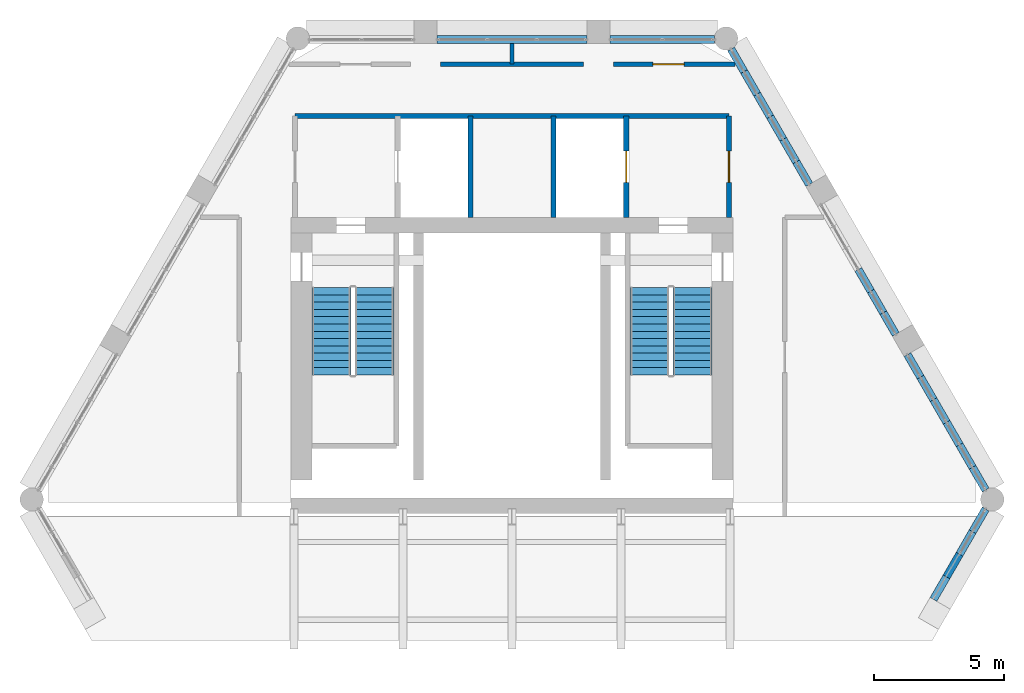
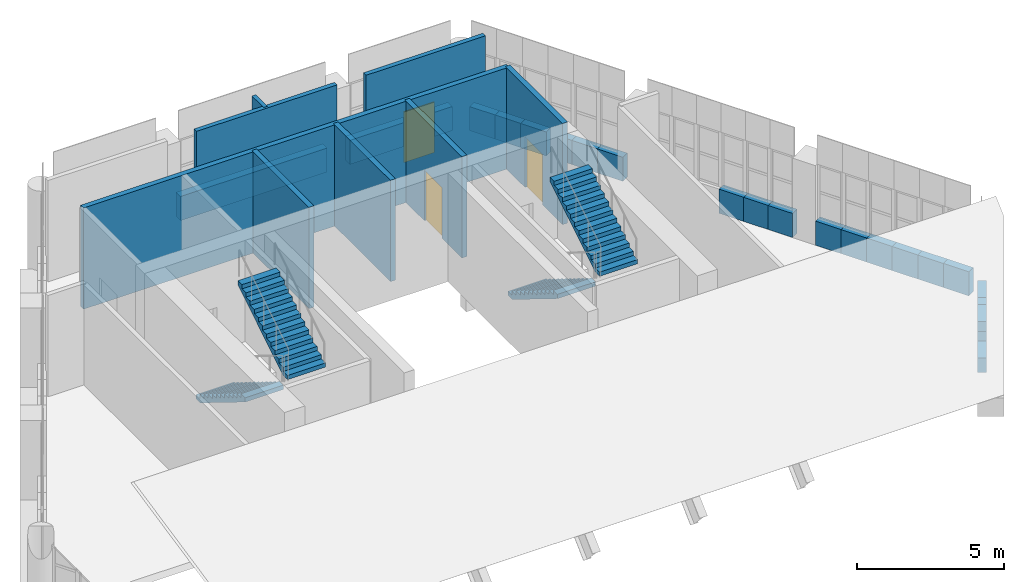
# One storey, part 16 of 20: 30 walls, 4 stair flights, 3 doors, 3 openings, 2 elements without a shape of their own.
"""IFC4 building model written with IfcOpenShell, lengths in metres."""

from ifc_helpers import new_model, si_unit, direction, frame, frame_2d, origin, place, context, subcontext, project, spatial, polyline, rectangle, outline, extrude, material, layer, layer_set, type_object, element, fill, aggregate, save


model = new_model("IFC4")

# Units and contexts
model_context = context("Model", 3, precision=1e-05, world=origin(), true_north=direction((0.0, 1.0)))
body_context = subcontext(model_context, "Body", "Model", "MODEL_VIEW")
ifc_project = project(units=[si_unit("LENGTHUNIT", "METRE"), si_unit("AREAUNIT", "SQUARE_METRE"), si_unit("VOLUMEUNIT", "CUBIC_METRE"), si_unit("PLANEANGLEUNIT", "RADIAN"), si_unit("MASSUNIT", "GRAM", prefix="KILO")], contexts=[model_context])

# Site, building, storey
site_placement = place(None, origin())
site = spatial("IfcSite", under=ifc_project, at=site_placement, CompositionType="ELEMENT")
building_placement = place(site_placement, origin())
building = spatial("IfcBuilding", under=site, at=building_placement, Name="Ostrander Bayou Hotel Tower", CompositionType="ELEMENT")
storey_placement = place(building_placement, frame((0.0, 0.0, 284.0)))
storey = spatial("IfcBuildingStorey", under=building, at=storey_placement, Name="L70", CompositionType="ELEMENT", Elevation=284.0)

# Walls
ifc_material_1 = material(Name="Reconstituted stone on masonry backing", Category="masonry")
ifc_layer_1 = layer(ifc_material_1, 0.300048828125)
ifc_layer_set_1 = layer_set([ifc_layer_1], Name="NW1 north stone wall 300 mm")
wall_type_1 = type_object("IfcWallType", Name="NW1 north stone wall 300 mm", PredefinedType="SOLIDWALL", material=ifc_layer_set_1)
wall_1_placement = place(storey_placement, frame((7.7958984375, 16.550048828125, 0.0), z_axis=(0.0, 0.0, 1.0), x_axis=(-1.0, 0.0, 0.0)))
element("IfcWall", 1, at=wall_1_placement, inside=storey, type_object=wall_type_1, Name="NW1 L70 N-1 sill", PredefinedType="SOLIDWALL", context=body_context, shape_type="SweptSolid", body=[
    extrude(rectangle(XDim=4.0166015625, YDim=0.300048828125, at=frame_2d((2.00830078125, 0.0))), origin(), (0.0, 0.0, 1.0), 1.0),
])
wall_2_placement = place(storey_placement, frame((2.87939453125, 16.550048828125, 0.0), z_axis=(0.0, 0.0, 1.0), x_axis=(-1.0, 0.0, 0.0)))
element("IfcWall", 2, at=wall_2_placement, inside=storey, type_object=wall_type_1, Name="NW1 L70 N-2 sill", PredefinedType="SOLIDWALL", context=body_context, shape_type="SweptSolid", body=[
    extrude(rectangle(XDim=5.7587890625, YDim=0.300048828125, at=frame_2d((2.87939453125, 0.0))), origin(), (0.0, 0.0, 1.0), 1.0),
])
wall_3_placement = place(storey_placement, frame((16.222412109375, -5.001953125, 0.0), z_axis=(0.0, 0.0, 1.0), x_axis=(0.500115484592, 0.865958718457, 0.0)))
element("IfcWall", 3, at=wall_3_placement, inside=storey, type_object=wall_type_1, Name="NW1 L70 SE-3-1 sill", PredefinedType="SOLIDWALL", context=body_context, shape_type="SweptSolid", body=[
    extrude(rectangle(XDim=1.003662109375, YDim=0.300048828125, at=frame_2d((0.501953125, 0.0))), origin(), (0.0, 0.0, 1.0), 0.593994140625),
])
wall_4_placement = place(storey_placement, frame((16.724365234375, -4.1328125, 0.0), z_axis=(0.0, 0.0, 1.0), x_axis=(0.499904868165, 0.866080321209, 0.0)))
element("IfcWall", 4, at=wall_4_placement, inside=storey, type_object=wall_type_1, Name="NW1 L70 SE-3-2 sill", PredefinedType="SOLIDWALL", context=body_context, shape_type="SweptSolid", body=[
    extrude(rectangle(XDim=1.004150390625, YDim=0.300048828125, at=frame_2d((0.501953125, 0.0))), origin(), (0.0, 0.0, 1.0), 1.0),
])
wall_5_placement = place(storey_placement, frame((16.724365234375, -4.1328125, 1.0), z_axis=(0.0, 0.0, 1.0), x_axis=(0.499904868165, 0.866080321209, 0.0)))
element("IfcWall", 5, at=wall_5_placement, inside=storey, type_object=wall_type_1, Name="NW1 L70 SE-3-2 infill", PredefinedType="SOLIDWALL", context=body_context, shape_type="SweptSolid", body=[
    extrude(rectangle(XDim=1.004150390625, YDim=0.300048828125, at=frame_2d((0.501953125, 0.0))), origin(), (0.0, 0.0, 1.0), 0.412841796875),
])
wall_6_placement = place(storey_placement, frame((17.226318359375, -3.26318359375, 0.0), z_axis=(0.0, 0.0, 1.0), x_axis=(0.499933044277, 0.866064057238, 0.0)))
element("IfcWall", 6, at=wall_6_placement, inside=storey, type_object=wall_type_1, Name="NW1 L70 SE-3-3 sill", PredefinedType="SOLIDWALL", context=body_context, shape_type="SweptSolid", body=[
    extrude(rectangle(XDim=1.003662109375, YDim=0.300048828125, at=frame_2d((0.501953125, 0.0))), origin(), (0.0, 0.0, 1.0), 1.0),
])
wall_7_placement = place(storey_placement, frame((17.72802734375, -2.39404296875, 0.0), z_axis=(0.0, 0.0, 1.0), x_axis=(0.500010157896, 0.866019539041, 0.0)))
element("IfcWall", 7, at=wall_7_placement, inside=storey, type_object=wall_type_1, Name="NW1 L70 SE-3-4 sill", PredefinedType="SOLIDWALL", context=body_context, shape_type="SweptSolid", body=[
    extrude(rectangle(XDim=1.00390625, YDim=0.300048828125, at=frame_2d((0.501953125, 0.0))), origin(), (0.0, 0.0, 1.0), 1.0),
])
for number, where, z_axis, x_axis, name in (
    (8, (18.22998046875, -0.788330078125, 0.0), (0.0, 0.0, 1.0), (-0.499961250474, 0.866047774678, 0.0), "NW1 L70 NE-1-1 sill"),
    (9, (17.728515625, 0.080322265625, 0.0), (0.0, 0.0, 1.0), (-0.499961250474, 0.866047774678, 0.0), "NW1 L70 NE-1-2 sill"),
    (10, (17.22705078125, 0.948974609375, 0.0), (0.0, 0.0, 1.0), (-0.499961250474, 0.866047774678, 0.0), "NW1 L70 NE-1-3 sill"),
    (11, (16.7255859375, 1.817626953125, 0.0), (0.0, 0.0, 1.0), (-0.499961250474, 0.866047774678, 0.0), "NW1 L70 NE-1-4 sill"),
):
    element("IfcWall", number, at=place(storey_placement, frame(where, z_axis=z_axis, x_axis=x_axis)), inside=storey, type_object=wall_type_1, Name=name, PredefinedType="SOLIDWALL", context=body_context, shape_type="SweptSolid", body=[
        extrude(rectangle(XDim=1.0029296875, YDim=0.300048828125, at=frame_2d((0.50146484375, 0.0))), origin(), (0.0, 0.0, 1.0), 1.0),
    ])
wall_8_placement = place(storey_placement, frame((16.22412109375, 2.686279296875, 0.0), z_axis=(0.0, 0.0, 1.0), x_axis=(-0.500143783026, 0.865942374699, 0.0)))
element("IfcWall", 12, at=wall_8_placement, inside=storey, type_object=wall_type_1, Name="NW1 L70 NE-1-5 sill", PredefinedType="SOLIDWALL", context=body_context, shape_type="SweptSolid", body=[
    extrude(rectangle(XDim=1.003173828125, YDim=0.300048828125, at=frame_2d((0.50146484375, 0.0))), origin(), (0.0, 0.0, 1.0), 1.0),
])
wall_9_placement = place(storey_placement, frame((15.722412109375, 3.554931640625, 0.0), z_axis=(0.0, 0.0, 1.0), x_axis=(-0.499961250474, 0.866047774678, 0.0)))
element("IfcWall", 13, at=wall_9_placement, inside=storey, type_object=wall_type_1, Name="NW1 L70 NE-1-6 sill", PredefinedType="SOLIDWALL", context=body_context, shape_type="SweptSolid", body=[
    extrude(rectangle(XDim=1.0029296875, YDim=0.300048828125, at=frame_2d((0.50146484375, 0.0))), origin(), (0.0, 0.0, 1.0), 1.0),
])
wall_10_placement = place(storey_placement, frame((14.77099609375, 5.203125, 0.0), z_axis=(0.0, 0.0, 1.0), x_axis=(-0.500133489192, 0.865948320045, 0.0)))
element("IfcWall", 14, at=wall_10_placement, inside=storey, type_object=wall_type_1, Name="NW1 L70 NE-2-1 sill", PredefinedType="SOLIDWALL", context=body_context, shape_type="SweptSolid", body=[
    extrude(rectangle(XDim=0.959716796875, YDim=0.300048828125, at=frame_2d((0.47998046875, 0.0))), origin(), (0.0, 0.0, 1.0), 1.0),
])
wall_11_placement = place(storey_placement, frame((14.291015625, 6.0341796875, 0.0), z_axis=(0.0, 0.0, 1.0), x_axis=(-0.500023335103, 0.866011930837, 0.0)))
element("IfcWall", 15, at=wall_11_placement, inside=storey, type_object=wall_type_1, Name="NW1 L70 NE-2-2 sill", PredefinedType="SOLIDWALL", context=body_context, shape_type="SweptSolid", body=[
    extrude(rectangle(XDim=0.9599609375, YDim=0.300048828125, at=frame_2d((0.47998046875, 0.0))), origin(), (0.0, 0.0, 1.0), 1.0),
])
wall_12_placement = place(storey_placement, frame((13.81103515625, 6.865478515625, 0.0), z_axis=(0.0, 0.0, 1.0), x_axis=(-0.499832553123, 0.866122057702, 0.0)))
element("IfcWall", 16, at=wall_12_placement, inside=storey, type_object=wall_type_1, Name="NW1 L70 NE-2-3 sill", PredefinedType="SOLIDWALL", context=body_context, shape_type="SweptSolid", body=[
    extrude(rectangle(XDim=0.959716796875, YDim=0.300048828125, at=frame_2d((0.47998046875, 0.0))), origin(), (0.0, 0.0, 1.0), 1.0),
])
for number, where, z_axis, x_axis, name in (
    (17, (11.44140625, 10.9697265625, 0.0), (0.0, 0.0, 1.0), (-0.499855875421, 0.866108598161, 0.0), "NW1 L70 NE-3-1 sill"),
    (18, (10.93994140625, 11.838623046875, 0.0), (0.0, 0.0, 1.0), (-0.500143783026, 0.865942374699, 0.0), "NW1 L70 NE-3-2 sill"),
    (19, (10.438232421875, 12.707275390625, 0.0), (0.0, 0.0, 1.0), (-0.499855875421, 0.866108598161, 0.0), "NW1 L70 NE-3-3 sill"),
):
    element("IfcWall", number, at=place(storey_placement, frame(where, z_axis=z_axis, x_axis=x_axis)), inside=storey, type_object=wall_type_1, Name=name, PredefinedType="SOLIDWALL", context=body_context, shape_type="SweptSolid", body=[
        extrude(rectangle(XDim=1.003173828125, YDim=0.300048828125, at=frame_2d((0.50146484375, 0.0))), origin(), (0.0, 0.0, 1.0), 1.0),
    ])
wall_13_placement = place(storey_placement, frame((9.936767578125, 13.576171875, 0.0), z_axis=(0.0, 0.0, 1.0), x_axis=(-0.499961250474, 0.866047774678, 0.0)))
element("IfcWall", 20, at=wall_13_placement, inside=storey, type_object=wall_type_1, Name="NW1 L70 NE-3-4 sill", PredefinedType="SOLIDWALL", context=body_context, shape_type="SweptSolid", body=[
    extrude(rectangle(XDim=1.0029296875, YDim=0.300048828125, at=frame_2d((0.50146484375, 0.0))), origin(), (0.0, 0.0, 1.0), 1.0),
])
wall_14_placement = place(storey_placement, frame((9.435302734375, 14.44482421875, 0.0), z_axis=(0.0, 0.0, 1.0), x_axis=(-0.500038395149, 0.8660032352, 0.0)))
element("IfcWall", 21, at=wall_14_placement, inside=storey, type_object=wall_type_1, Name="NW1 L70 NE-3-5 sill", PredefinedType="SOLIDWALL", context=body_context, shape_type="SweptSolid", body=[
    extrude(rectangle(XDim=1.00341796875, YDim=0.300048828125, at=frame_2d((0.501708984375, 0.0))), origin(), (0.0, 0.0, 1.0), 1.0),
])
wall_15_placement = place(storey_placement, frame((8.93359375, 15.313720703125, 0.0), z_axis=(0.0, 0.0, 1.0), x_axis=(-0.500143783026, 0.865942374699, 0.0)))
element("IfcWall", 22, at=wall_15_placement, inside=storey, type_object=wall_type_1, Name="NW1 L70 NE-3-6 sill", PredefinedType="SOLIDWALL", context=body_context, shape_type="SweptSolid", body=[
    extrude(rectangle(XDim=1.003173828125, YDim=0.300048828125, at=frame_2d((0.50146484375, 0.0))), origin(), (0.0, 0.0, 1.0), 1.0),
])
ifc_material_2 = material(Name="Gypsum board partition", Category="finish")
ifc_layer_2 = layer(ifc_material_2, 0.175048828125)
ifc_layer_set_2 = layer_set([ifc_layer_2], Name="PT4 corridor wall 175 mm, 1 hour")
wall_type_2 = type_object("IfcWallType", Name="PT4 corridor wall 175 mm, 1 hour", PredefinedType="PARTITIONING", material=ifc_layer_set_2)
wall_16_placement = place(storey_placement, frame((-2.755859375, 15.60009765625, 0.0), z_axis=(0.0, 0.0, 1.0), x_axis=(1.0, 0.0, 0.0)))
element("IfcWall", 23, at=wall_16_placement, inside=storey, type_object=wall_type_2, Name="sw:L70:004", PredefinedType="PARTITIONING", context=body_context, shape_type="SweptSolid", body=[
    extrude(rectangle(XDim=5.51171875, YDim=0.175048828125, at=frame_2d((2.755859375, 0.0))), origin(), (0.0, 0.0, 1.0), 4.199951171875),
])

# Wall, opening, door
wall_17_placement = place(storey_placement, frame((3.903076171875, 15.60009765625, 0.0), z_axis=(0.0, 0.0, 1.0), x_axis=(1.0, 0.0, 0.0)))
wall_17 = element("IfcWall", 24, at=wall_17_placement, inside=storey, type_object=wall_type_2, Name="sw:L70:005", PredefinedType="PARTITIONING", context=body_context, shape_type="SweptSolid", body=[
    extrude(rectangle(XDim=4.68701171875, YDim=0.175048828125, at=frame_2d((2.343505859375, 0.0))), origin(), (0.0, 0.0, 1.0), 4.199951171875),
])
opening_1_placement = place(wall_17_placement, frame((1.523193359375, 0.0, 0.0)))
opening_1 = element("IfcOpeningElement", 25, at=opening_1_placement, cuts=wall_17, Name="Opening T70-203", PredefinedType="OPENING", context=body_context, shape_type="SweptSolid", body=[
    extrude(rectangle(XDim=1.199951171875, YDim=2.10009765625, at=frame_2d((0.60009765625, 1.050048828125))), frame((0.0, 0.08740234375, 0.0), z_axis=(0.0, -1.0, 0.0), x_axis=(1.0, 0.0, 0.0)), (0.0, 0.0, 1.0), 0.175048828125),
])
ifc_material_3 = material(Name="Timber door leaf", Category="wood")
door_type_1 = type_object("IfcDoorType", Name="D10 plant room door 1200 x 2100 mm, 1 hour", OperationType="SINGLE_SWING_LEFT", PredefinedType="DOOR", material=ifc_material_3)
door_1_placement = place(opening_1_placement, origin())
door_1 = element("IfcDoor", 26, at=door_1_placement, inside=storey, type_object=door_type_1, Name="dr:L70:203", OperationType="SINGLE_SWING_LEFT", OverallHeight=2.10009765625, OverallWidth=1.199951171875, PredefinedType="DOOR", context=body_context, shape_type="SweptSolid", body=[
    extrude(rectangle(XDim=1.199951171875, YDim=2.10009765625, at=frame_2d((0.60009765625, 1.050048828125))), frame((0.0, 0.02490234375, 0.0), z_axis=(0.0, -1.0, 0.0), x_axis=(1.0, 0.0, 0.0)), (0.0, 0.0, 1.0), 0.050048828125),
])
fill(opening_1, door_1)

# Wall
ifc_material_4 = material(Name="Masonry block", Category="masonry")
ifc_layer_3 = layer(ifc_material_4, 0.199951171875)
ifc_layer_set_3 = layer_set([ifc_layer_3], Name="PT5 stair enclosure wall 200 mm masonry, 2 hour")
wall_type_3 = type_object("IfcWallType", Name="PT5 stair enclosure wall 200 mm masonry, 2 hour", PredefinedType="PARTITIONING", material=ifc_layer_set_3)
wall_18_placement = place(storey_placement, frame((-8.35009765625, 13.60009765625, 0.0), z_axis=(0.0, 0.0, 1.0), x_axis=(1.0, 0.0, 0.0)))
element("IfcWall", 27, at=wall_18_placement, inside=storey, type_object=wall_type_3, Name="cs:L70:005", PredefinedType="PARTITIONING", context=body_context, shape_type="SweptSolid", body=[
    extrude(rectangle(XDim=16.7001953125, YDim=0.199951171875, at=frame_2d((8.35009765625, 0.0))), origin(), (0.0, 0.0, 1.0), 4.199951171875),
])

# Wall, opening, door
wall_19_placement = place(storey_placement, frame((8.35009765625, 9.699951171875, 0.0), z_axis=(0.0, 0.0, 1.0), x_axis=(0.0, 1.0, 0.0)))
wall_19 = element("IfcWall", 28, at=wall_19_placement, inside=storey, type_object=wall_type_3, Name="cs:L70:007", PredefinedType="PARTITIONING", context=body_context, shape_type="SweptSolid", body=[
    extrude(rectangle(XDim=3.900146484375, YDim=0.199951171875, at=frame_2d((1.9501953125, 0.0))), origin(), (0.0, 0.0, 1.0), 4.199951171875),
])
opening_2_placement = place(wall_19_placement, frame((1.35009765625, 0.0, 0.0)))
opening_2 = element("IfcOpeningElement", 29, at=opening_2_placement, cuts=wall_19, Name="Opening T70-008", PredefinedType="OPENING", context=body_context, shape_type="SweptSolid", body=[
    extrude(rectangle(XDim=1.199951171875, YDim=2.10009765625, at=frame_2d((0.60009765625, 1.050048828125))), frame((0.0, 0.10009765625, 0.0), z_axis=(0.0, -1.0, 0.0), x_axis=(1.0, 0.0, 0.0)), (0.0, 0.0, 1.0), 0.199951171875),
])
ifc_material_5 = material(Name="Timber door leaf", Category="wood")
door_type_2 = type_object("IfcDoorType", Name="D7 lobby door 1200 x 2100 mm, 1 hour", OperationType="SINGLE_SWING_LEFT", PredefinedType="DOOR", material=ifc_material_5)
door_2_placement = place(opening_2_placement, origin())
door_2 = element("IfcDoor", 30, at=door_2_placement, inside=storey, type_object=door_type_2, Name="dr:L70:008", OperationType="SINGLE_SWING_LEFT", OverallHeight=2.10009765625, OverallWidth=1.199951171875, PredefinedType="DOOR", context=body_context, shape_type="SweptSolid", body=[
    extrude(rectangle(XDim=1.199951171875, YDim=2.10009765625, at=frame_2d((0.60009765625, 1.050048828125))), frame((0.0, 0.02490234375, 0.0), z_axis=(0.0, -1.0, 0.0), x_axis=(1.0, 0.0, 0.0)), (0.0, 0.0, 1.0), 0.050048828125),
])
fill(opening_2, door_2)

wall_20_placement = place(storey_placement, frame((4.39990234375, 9.699951171875, 0.0), z_axis=(0.0, 0.0, 1.0), x_axis=(0.0, 1.0, 0.0)))
wall_20 = element("IfcWall", 31, at=wall_20_placement, inside=storey, type_object=wall_type_3, Name="cs:L70:009", PredefinedType="PARTITIONING", context=body_context, shape_type="SweptSolid", body=[
    extrude(rectangle(XDim=3.900146484375, YDim=0.199951171875, at=frame_2d((1.9501953125, 0.0))), origin(), (0.0, 0.0, 1.0), 4.199951171875),
])
opening_3_placement = place(wall_20_placement, frame((1.35009765625, 0.0, 0.0)))
opening_3 = element("IfcOpeningElement", 32, at=opening_3_placement, cuts=wall_20, Name="Opening T70-007", PredefinedType="OPENING", context=body_context, shape_type="SweptSolid", body=[
    extrude(rectangle(XDim=1.199951171875, YDim=2.10009765625, at=frame_2d((0.60009765625, 1.050048828125))), frame((0.0, 0.10009765625, 0.0), z_axis=(0.0, -1.0, 0.0), x_axis=(1.0, 0.0, 0.0)), (0.0, 0.0, 1.0), 0.199951171875),
])
ifc_material_6 = material(Name="Stainless steel sliding door", Category="steel")
door_type_3 = type_object("IfcDoorType", Name="LD1 lift landing door 1200 x 2100 mm", OperationType="SINGLE_SWING_LEFT", PredefinedType="DOOR", material=ifc_material_6)
door_3_placement = place(opening_3_placement, origin())
door_3 = element("IfcDoor", 33, at=door_3_placement, inside=storey, type_object=door_type_3, Name="dr:L70:007", OperationType="SLIDING_TO_LEFT", OverallHeight=2.10009765625, OverallWidth=1.199951171875, PredefinedType="DOOR", context=body_context, shape_type="SweptSolid", body=[
    extrude(rectangle(XDim=1.199951171875, YDim=2.10009765625, at=frame_2d((0.60009765625, 1.050048828125))), frame((0.0, 0.02490234375, 0.0), z_axis=(0.0, -1.0, 0.0), x_axis=(1.0, 0.0, 0.0)), (0.0, 0.0, 1.0), 0.050048828125),
])
fill(opening_3, door_3)

# Walls
ifc_material_7 = material(Name="Masonry block", Category="masonry")
ifc_layer_4 = layer(ifc_material_7, 0.199951171875)
ifc_layer_set_4 = layer_set([ifc_layer_4], Name="PT6 lift shaft wall 200 mm masonry, 2 hour")
wall_type_4 = type_object("IfcWallType", Name="PT6 lift shaft wall 200 mm masonry, 2 hour", PredefinedType="PARTITIONING", material=ifc_layer_set_4)
for number, where, z_axis, x_axis, name in (
    (34, (-1.60009765625, 9.699951171875, 0.0), (0.0, 0.0, 1.0), (0.0, 1.0, 0.0), "cs:L70:010"),
    (35, (1.60009765625, 9.699951171875, 0.0), (0.0, 0.0, 1.0), (0.0, 1.0, 0.0), "cs:L70:011"),
):
    element("IfcWall", number, at=place(storey_placement, frame(where, z_axis=z_axis, x_axis=x_axis)), inside=storey, type_object=wall_type_4, Name=name, PredefinedType="PARTITIONING", context=body_context, shape_type="SweptSolid", body=[
        extrude(rectangle(XDim=3.900146484375, YDim=0.199951171875, at=frame_2d((1.9501953125, 0.0))), origin(), (0.0, 0.0, 1.0), 4.199951171875),
    ])
ifc_material_8 = material(Name="Gypsum board partition", Category="finish")
ifc_layer_5 = layer(ifc_material_8, 0.14990234375)
ifc_layer_set_5 = layer_set([ifc_layer_5], Name="PT7 riser wall 150 mm, 2 hour")
wall_type_5 = type_object("IfcWallType", Name="PT7 riser wall 150 mm, 2 hour", PredefinedType="PARTITIONING", material=ifc_layer_set_5)
wall_21_placement = place(storey_placement, frame((0.0, 15.60009765625, 0.0), z_axis=(0.0, 0.0, 1.0), x_axis=(0.0, 1.0, 0.0)))
element("IfcWall", 36, at=wall_21_placement, inside=storey, type_object=wall_type_5, Name="sw:L70:008", PredefinedType="PARTITIONING", context=body_context, shape_type="SweptSolid", body=[
    extrude(rectangle(XDim=0.794921875, YDim=0.14990234375, at=frame_2d((0.3974609375, 0.0))), origin(), (0.0, 0.0, 1.0), 4.199951171875),
])

# Stair, stair flights
ifc_material_9 = material(Name="Concrete f'c 45 MPa", Category="concrete")
stair_type = type_object("IfcStairType", Name="ST1 exit stair 1500 mm f'c 45 MPa", PredefinedType="HALF_TURN_STAIR", material=ifc_material_9)
stair_1_placement = place(storey_placement, origin())
stair_1 = element("IfcStair", 37, at=stair_1_placement, inside=storey, type_object=stair_type, Name="L70 exit stair A", PredefinedType="HALF_TURN_STAIR")
ifc_material_10 = material(Name="Concrete f'c 45 MPa", Category="concrete")
stair_flight_type = type_object("IfcStairFlightType", Name="SF1 stair flight 1500 mm f'c 45 MPa", PredefinedType="STRAIGHT", material=ifc_material_10)
stair_flight_1_placement = place(storey_placement, frame((-6.949951171875, 7.0, 0.0), z_axis=(0.0, 0.0, 1.0), x_axis=(0.0, -1.0, 0.0)))
stair_flight_1 = element("IfcStairFlight", 38, at=stair_flight_1_placement, type_object=stair_flight_type, Name="STA flight 1", NumberOfRisers=13, NumberOfTreads=12, PredefinedType="STRAIGHT", RiserHeight=0.173076923, TreadLength=0.28, context=body_context, shape_type="SweptSolid", body=[
    extrude(outline(polyline([(0.0, 0.0), (0.0, 0.173095703125), (0.280029296875, 0.173095703125), (0.280029296875, 0.34619140625), (0.56005859375, 0.34619140625), (0.56005859375, 0.519287109375), (0.840087890625, 0.519287109375), (0.840087890625, 0.6923828125), (1.1201171875, 0.6923828125), (1.1201171875, 0.865478515625), (1.39990234375, 0.865478515625), (1.39990234375, 1.03857421875), (1.679931640625, 1.03857421875), (1.679931640625, 1.21142578125), (1.9599609375, 1.21142578125), (1.9599609375, 1.384521484375), (2.239990234375, 1.384521484375), (2.239990234375, 1.5576171875), (2.52001953125, 1.5576171875), (2.52001953125, 1.730712890625), (2.800048828125, 1.730712890625), (2.800048828125, 1.90380859375), (3.080078125, 1.90380859375), (3.080078125, 2.076904296875), (3.360107421875, 2.076904296875), (3.360107421875, 2.25), (3.360107421875, 1.900634765625), (0.28515625, 0.0), (0.0, 0.0)])), frame((0.0, 0.75, 0.0), z_axis=(0.0, -1.0, 0.0), x_axis=(1.0, 0.0, 0.0)), (0.0, 0.0, 1.0), 1.5),
])
stair_flight_2_placement = place(storey_placement, frame((-5.300048828125, 3.639892578125, 2.25), z_axis=(0.0, 0.0, 1.0), x_axis=(0.0, 1.0, 0.0)))
stair_flight_2 = element("IfcStairFlight", 39, at=stair_flight_2_placement, type_object=stair_flight_type, Name="STA flight 2", NumberOfRisers=13, NumberOfTreads=12, PredefinedType="STRAIGHT", RiserHeight=0.173076923, TreadLength=0.28, context=body_context, shape_type="SweptSolid", body=[
    extrude(outline(polyline([(0.0, 0.0), (0.0, 0.173095703125), (0.280029296875, 0.173095703125), (0.280029296875, 0.34619140625), (0.56005859375, 0.34619140625), (0.56005859375, 0.519287109375), (0.840087890625, 0.519287109375), (0.840087890625, 0.6923828125), (1.1201171875, 0.6923828125), (1.1201171875, 0.865478515625), (1.39990234375, 0.865478515625), (1.39990234375, 1.03857421875), (1.679931640625, 1.03857421875), (1.679931640625, 1.21142578125), (1.9599609375, 1.21142578125), (1.9599609375, 1.384521484375), (2.239990234375, 1.384521484375), (2.239990234375, 1.5576171875), (2.52001953125, 1.5576171875), (2.52001953125, 1.730712890625), (2.800048828125, 1.730712890625), (2.800048828125, 1.90380859375), (3.080078125, 1.90380859375), (3.080078125, 2.076904296875), (3.360107421875, 2.076904296875), (3.360107421875, 2.25), (3.360107421875, 1.900634765625), (0.28515625, 0.0), (0.0, 0.0)])), frame((0.0, 0.75, 0.0), z_axis=(0.0, -1.0, 0.0), x_axis=(1.0, 0.0, 0.0)), (0.0, 0.0, 1.0), 1.5),
])
aggregate(stair_1, [stair_flight_1, stair_flight_2])

stair_2_placement = place(storey_placement, origin())
stair_2 = element("IfcStair", 40, at=stair_2_placement, inside=storey, type_object=stair_type, Name="L70 exit stair B", PredefinedType="HALF_TURN_STAIR")
stair_flight_3_placement = place(storey_placement, frame((5.300048828125, 7.0, 0.0), z_axis=(0.0, 0.0, 1.0), x_axis=(0.0, -1.0, 0.0)))
stair_flight_3 = element("IfcStairFlight", 41, at=stair_flight_3_placement, type_object=stair_flight_type, Name="STB flight 1", NumberOfRisers=13, NumberOfTreads=12, PredefinedType="STRAIGHT", RiserHeight=0.173076923, TreadLength=0.28, context=body_context, shape_type="SweptSolid", body=[
    extrude(outline(polyline([(0.0, 0.0), (0.0, 0.173095703125), (0.280029296875, 0.173095703125), (0.280029296875, 0.34619140625), (0.56005859375, 0.34619140625), (0.56005859375, 0.519287109375), (0.840087890625, 0.519287109375), (0.840087890625, 0.6923828125), (1.1201171875, 0.6923828125), (1.1201171875, 0.865478515625), (1.39990234375, 0.865478515625), (1.39990234375, 1.03857421875), (1.679931640625, 1.03857421875), (1.679931640625, 1.21142578125), (1.9599609375, 1.21142578125), (1.9599609375, 1.384521484375), (2.239990234375, 1.384521484375), (2.239990234375, 1.5576171875), (2.52001953125, 1.5576171875), (2.52001953125, 1.730712890625), (2.800048828125, 1.730712890625), (2.800048828125, 1.90380859375), (3.080078125, 1.90380859375), (3.080078125, 2.076904296875), (3.360107421875, 2.076904296875), (3.360107421875, 2.25), (3.360107421875, 1.900634765625), (0.28515625, 0.0), (0.0, 0.0)])), frame((0.0, 0.75, 0.0), z_axis=(0.0, -1.0, 0.0), x_axis=(1.0, 0.0, 0.0)), (0.0, 0.0, 1.0), 1.5),
])
stair_flight_4_placement = place(storey_placement, frame((6.949951171875, 3.639892578125, 2.25), z_axis=(0.0, 0.0, 1.0), x_axis=(0.0, 1.0, 0.0)))
stair_flight_4 = element("IfcStairFlight", 42, at=stair_flight_4_placement, type_object=stair_flight_type, Name="STB flight 2", NumberOfRisers=13, NumberOfTreads=12, PredefinedType="STRAIGHT", RiserHeight=0.173076923, TreadLength=0.28, context=body_context, shape_type="SweptSolid", body=[
    extrude(outline(polyline([(0.0, 0.0), (0.0, 0.173095703125), (0.280029296875, 0.173095703125), (0.280029296875, 0.34619140625), (0.56005859375, 0.34619140625), (0.56005859375, 0.519287109375), (0.840087890625, 0.519287109375), (0.840087890625, 0.6923828125), (1.1201171875, 0.6923828125), (1.1201171875, 0.865478515625), (1.39990234375, 0.865478515625), (1.39990234375, 1.03857421875), (1.679931640625, 1.03857421875), (1.679931640625, 1.21142578125), (1.9599609375, 1.21142578125), (1.9599609375, 1.384521484375), (2.239990234375, 1.384521484375), (2.239990234375, 1.5576171875), (2.52001953125, 1.5576171875), (2.52001953125, 1.730712890625), (2.800048828125, 1.730712890625), (2.800048828125, 1.90380859375), (3.080078125, 1.90380859375), (3.080078125, 2.076904296875), (3.360107421875, 2.076904296875), (3.360107421875, 2.25), (3.360107421875, 1.900634765625), (0.28515625, 0.0), (0.0, 0.0)])), frame((0.0, 0.75, 0.0), z_axis=(0.0, -1.0, 0.0), x_axis=(1.0, 0.0, 0.0)), (0.0, 0.0, 1.0), 1.5),
])
aggregate(stair_2, [stair_flight_3, stair_flight_4])

save(model, "model.ifc")
